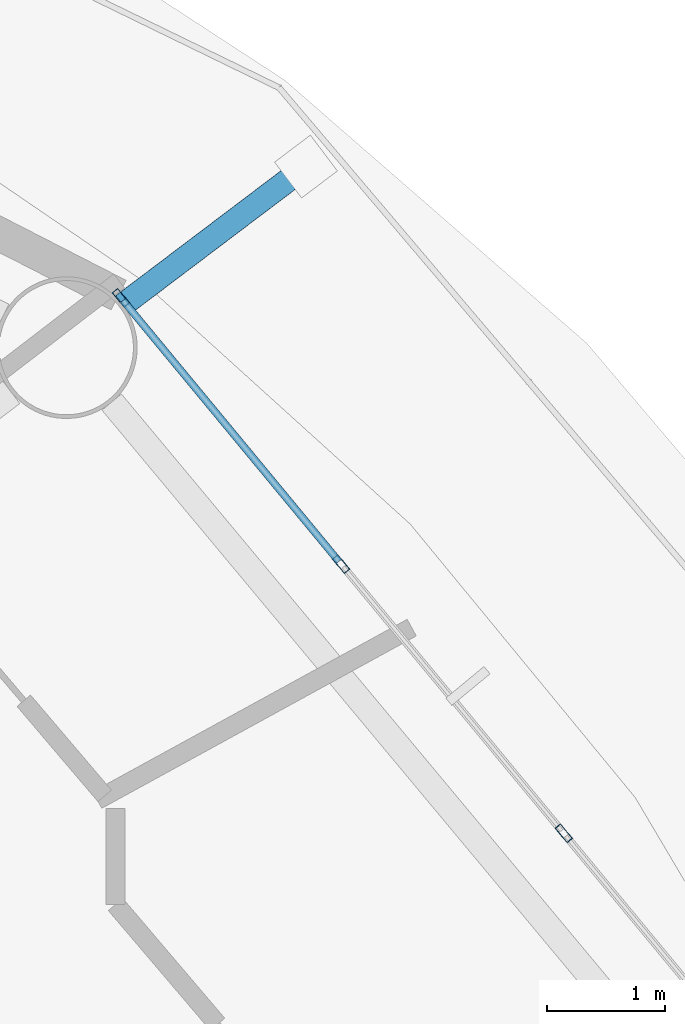
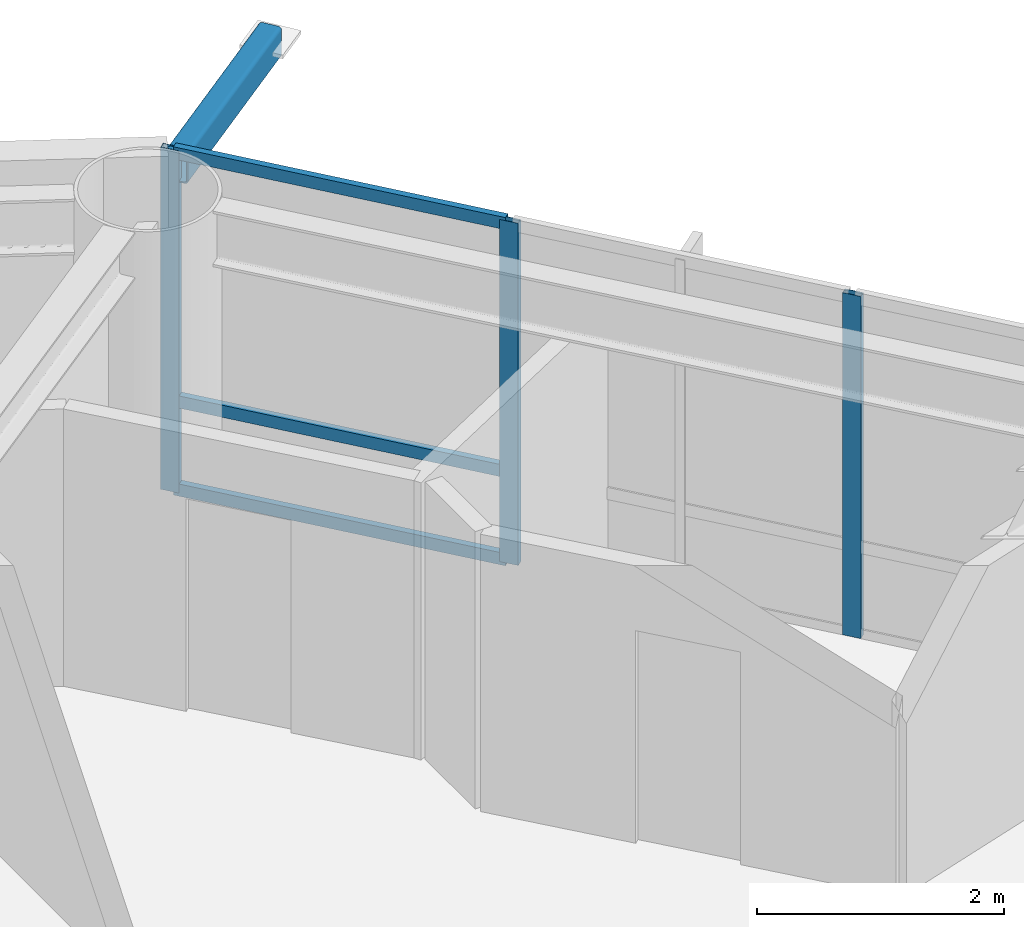
# One storey, part 15 of 28: 7 members, 1 element without a shape of its own.
"""IFC4 building model written with IfcOpenShell, lengths in metres."""

from ifc_helpers import new_model, si_unit, direction, frame, origin, origin_2d, place, context, subcontext, project, spatial, hollow_rectangle, extrude, material, layer, layer_set, material_profile, profile_set, type_object, element, aggregate, save


model = new_model("IFC4")

# Units and contexts
model_context = context("Model", 3, precision=1e-05, world=origin(), true_north=direction((0.0, 1.0)))
body_context = subcontext(model_context, "Body", "Model", "MODEL_VIEW")
ifc_project = project(units=[si_unit("LENGTHUNIT", "METRE"), si_unit("AREAUNIT", "SQUARE_METRE"), si_unit("VOLUMEUNIT", "CUBIC_METRE"), si_unit("PLANEANGLEUNIT", "RADIAN"), si_unit("MASSUNIT", "GRAM", prefix="KILO")], contexts=[model_context])

# Site, building, storey
site_placement = place(None, origin())
site = spatial("IfcSite", under=ifc_project, at=site_placement, CompositionType="ELEMENT")
building_placement = place(site_placement, origin())
building = spatial("IfcBuilding", under=site, at=building_placement, Name="Sarneth Arch Tower", CompositionType="ELEMENT")
storey_placement = place(building_placement, frame((0.0, 0.0, 179.39990234375)))
storey = spatial("IfcBuildingStorey", under=building, at=storey_placement, Name="L45", CompositionType="ELEMENT", Elevation=179.39990234375)

# Curtain wall, members
ifc_material_1 = material(Name="Anodised aluminium Type AA25 and solar-control low-e laminated IGU", Category="aluminium")
ifc_layer = layer(ifc_material_1, 0.169921875)
ifc_layer_set = layer_set([ifc_layer], Name="Anodised aluminium Type AA25 and solar-control low-e laminated IGU")
curtain_wall_type = type_object("IfcCurtainWallType", Name="CW-RES-MID", PredefinedType="NOTDEFINED", material=ifc_layer_set)
curtain_wall_placement = place(storey_placement, origin())
curtain_wall = element("IfcCurtainWall", 1, at=curtain_wall_placement, inside=storey, type_object=curtain_wall_type, Name="L45 Unitised curtain wall facet 02", PredefinedType="NOTDEFINED")
ifc_material_2 = material(Name="Anodised Aluminium 6063-T6", Category="aluminium")
ifc_material_profile_1 = material_profile(ifc_material_2, hollow_rectangle(XDim=0.06005859375, YDim=0.159912109375, WallThickness=0.00390625, at=origin_2d()), Name="AL-MULL-160x60x4")
ifc_profile_set_1 = profile_set([ifc_material_profile_1], Name="Anodised Aluminium 6063-T6")
member_type_1 = type_object("IfcMemberType", Name="CW-MULLION", PredefinedType="MULLION", material=ifc_profile_set_1)
member_1_placement = place(storey_placement, frame((71.346923828125, 52.3466796875, 0.0), z_axis=(0.0, 0.0, 1.0), x_axis=(-0.770590741276, -0.637330298558, 0.0)))
member_1 = element("IfcMember", 2, at=member_1_placement, type_object=member_type_1, Name="CW-SYS-5 mullion 2", PredefinedType="MULLION", context=body_context, shape_type="SweptSolid", body=[
    extrude(hollow_rectangle(XDim=0.06005859375, YDim=0.159912109375, WallThickness=0.00390625, at=origin_2d()), origin(), (0.0, 0.0, 1.0), 3.380126953125),
])
member_2_placement = place(storey_placement, frame((69.46142578125, 54.626220703125, 0.0), z_axis=(0.0, 0.0, 1.0), x_axis=(-0.770590741276, -0.637330298558, 0.0)))
member_2 = element("IfcMember", 3, at=member_2_placement, type_object=member_type_1, Name="CW-SYS-5 mullion 3", PredefinedType="MULLION", context=body_context, shape_type="SweptSolid", body=[
    extrude(hollow_rectangle(XDim=0.06005859375, YDim=0.159912109375, WallThickness=0.00390625, at=origin_2d()), origin(), (0.0, 0.0, 1.0), 3.380126953125),
])
member_3_placement = place(storey_placement, frame((67.59521484375, 56.8828125, 0.0), z_axis=(0.0, 0.0, 1.0), x_axis=(-0.770590741276, -0.637330298558, 0.0)))
member_3 = element("IfcMember", 4, at=member_3_placement, type_object=member_type_1, Name="CW-SYS-5 mullion 4", PredefinedType="MULLION", context=body_context, shape_type="SweptSolid", body=[
    extrude(hollow_rectangle(XDim=0.06005859375, YDim=0.159912109375, WallThickness=0.00390625, at=origin_2d()), origin(), (0.0, 0.0, 1.0), 3.380126953125),
])
ifc_material_3 = material(Name="Anodised Aluminium 6063-T6", Category="aluminium")
ifc_material_profile_2 = material_profile(ifc_material_3, hollow_rectangle(XDim=0.06005859375, YDim=0.1201171875, WallThickness=0.00390625, at=origin_2d()), Name="AL-TRAN-120x60x4")
ifc_profile_set_2 = profile_set([ifc_material_profile_2], Name="Anodised Aluminium 6063-T6")
member_type_2 = type_object("IfcMemberType", Name="CW-TRANSOM", PredefinedType="USERDEFINED", material=ifc_profile_set_2)
member_4_placement = place(storey_placement, frame((69.4423828125, 54.6494140625, 0.030029296875), z_axis=(-0.637358651504, 0.770567290607, 0.0), x_axis=(-0.770567290607, -0.637358651504, 0.0)))
member_4 = element("IfcMember", 5, at=member_4_placement, type_object=member_type_2, Name="CW-SYS-5 transom 3.1", ObjectType="TRANSOM", PredefinedType="USERDEFINED", context=body_context, shape_type="SweptSolid", body=[
    extrude(hollow_rectangle(XDim=0.06005859375, YDim=0.1201171875, WallThickness=0.00390625, at=origin_2d()), origin(), (0.0, 0.0, 1.0), 2.8681640625),
])
member_5_placement = place(storey_placement, frame((69.4423828125, 54.6494140625, 0.900146484375), z_axis=(-0.637358651504, 0.770567290607, 0.0), x_axis=(-0.770567290607, -0.637358651504, 0.0)))
member_5 = element("IfcMember", 6, at=member_5_placement, type_object=member_type_2, Name="CW-SYS-5 transom 3.2", ObjectType="TRANSOM", PredefinedType="USERDEFINED", context=body_context, shape_type="SweptSolid", body=[
    extrude(hollow_rectangle(XDim=0.06005859375, YDim=0.1201171875, WallThickness=0.00390625, at=origin_2d()), origin(), (0.0, 0.0, 1.0), 2.8681640625),
])
member_6_placement = place(storey_placement, frame((69.4423828125, 54.6494140625, 3.35009765625), z_axis=(-0.637358651504, 0.770567290607, 0.0), x_axis=(-0.770567290607, -0.637358651504, 0.0)))
member_6 = element("IfcMember", 7, at=member_6_placement, type_object=member_type_2, Name="CW-SYS-5 transom 3.3", ObjectType="TRANSOM", PredefinedType="USERDEFINED", context=body_context, shape_type="SweptSolid", body=[
    extrude(hollow_rectangle(XDim=0.06005859375, YDim=0.1201171875, WallThickness=0.00390625, at=origin_2d()), origin(), (0.0, 0.0, 1.0), 2.8681640625),
])
aggregate(curtain_wall, [member_1, member_2, member_3, member_4, member_5, member_6])

# Member
ifc_material_4 = material(Name="Steel S355", Category="steel")
ifc_material_profile_3 = material_profile(ifc_material_4, hollow_rectangle(XDim=0.199951171875, YDim=0.300048828125, WallThickness=0.012451171875, InnerFilletRadius=0.018798828125, OuterFilletRadius=0.03125, at=origin_2d()), Name="RHS300x200x12.5")
ifc_profile_set_3 = profile_set([ifc_material_profile_3], Name="Steel S355")
member_type_3 = type_object("IfcMemberType", Name="MEM-CANT-STRUT", PredefinedType="STRUT", material=ifc_profile_set_3)
member_7_placement = place(storey_placement, frame((67.612548828125, 56.822021484375, 3.22021484375), z_axis=(0.797749198943, 0.602989399232, 0.0), x_axis=(-0.602989399232, 0.797749198943, 0.0)))
element("IfcMember", 8, at=member_7_placement, inside=storey, type_object=member_type_3, Name="L45 Balcony cantilever bracket 03", PredefinedType="STRUT", context=body_context, shape_type="SweptSolid", body=[
    extrude(hollow_rectangle(XDim=0.199951171875, YDim=0.300048828125, WallThickness=0.012451171875, InnerFilletRadius=0.018798828125, OuterFilletRadius=0.03125, at=origin_2d()), origin(), (0.0, 0.0, 1.0), 1.9443359375),
])

save(model, "model.ifc")
